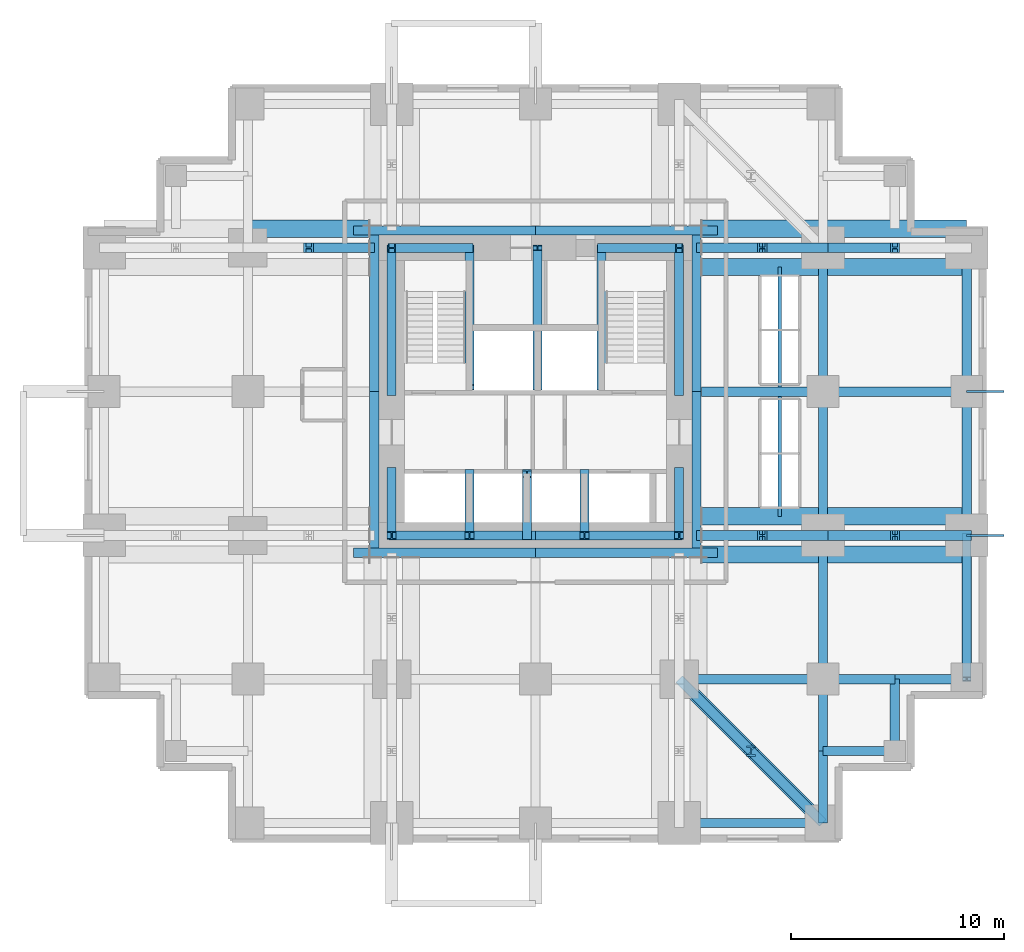
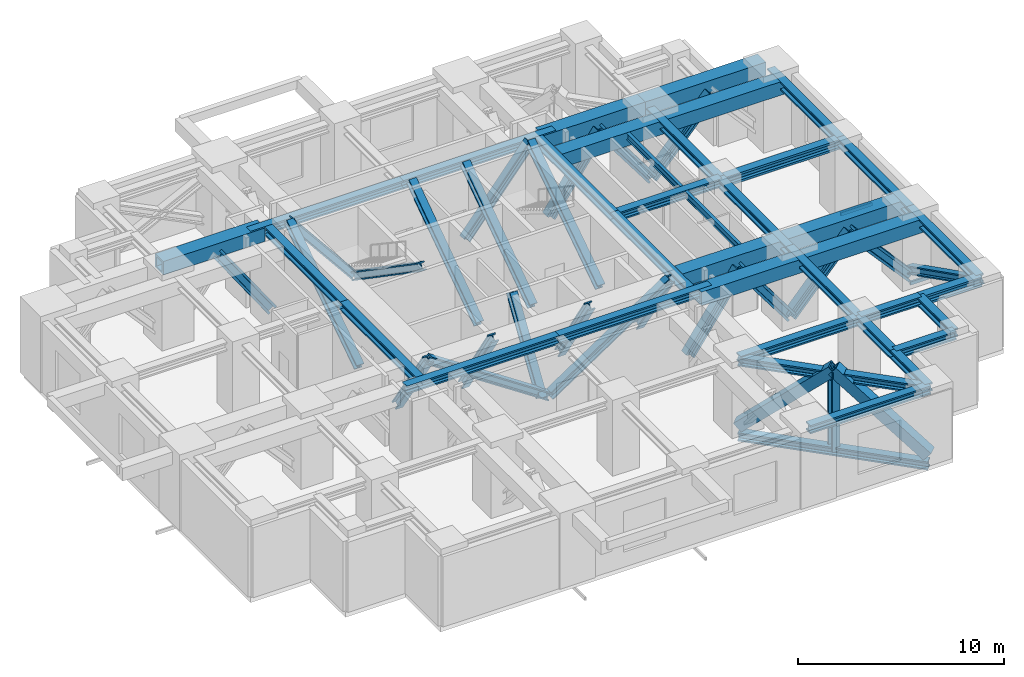
# One storey, part 2 of 6: 35 beams, 31 members.
"""IFC4 building model written with IfcOpenShell, lengths in metres."""

from ifc_helpers import new_model, si_unit, direction, frame, origin, origin_2d, place, context, subcontext, project, spatial, hollow_rectangle, i_section, extrude, material, material_profile, profile_set, type_object, element, save


model = new_model("IFC4")

# Units and contexts
model_context = context("Model", 3, precision=1e-05, world=origin(), true_north=direction((0.0, 1.0)))
body_context = subcontext(model_context, "Body", "Model", "MODEL_VIEW")
ifc_project = project(units=[si_unit("LENGTHUNIT", "METRE"), si_unit("AREAUNIT", "SQUARE_METRE"), si_unit("VOLUMEUNIT", "CUBIC_METRE"), si_unit("PLANEANGLEUNIT", "RADIAN"), si_unit("MASSUNIT", "GRAM", prefix="KILO")], contexts=[model_context])

# Site, building, storey
site_placement = place(None, origin())
site = spatial("IfcSite", under=ifc_project, at=site_placement, CompositionType="ELEMENT")
building_placement = place(site_placement, origin())
building = spatial("IfcBuilding", under=site, at=building_placement, Name="Nyansa Garden Tower", CompositionType="ELEMENT")
storey_placement = place(building_placement, frame((0.0, 0.0, 137.699951171875)))
storey = spatial("IfcBuildingStorey", under=building, at=storey_placement, Name="L37", CompositionType="ELEMENT", Elevation=137.699951171875)

# Beams
ifc_material_1 = material(Name="Steel S355", Category="steel")
ifc_material_profile_1 = material_profile(ifc_material_1, i_section(OverallWidth=0.179931640625, OverallDepth=0.39990234375, WebThickness=0.008544921875, FlangeThickness=0.013427734375, FilletRadius=0.02099609375, at=origin_2d()), Name="IPE 400")
ifc_profile_set_1 = profile_set([ifc_material_profile_1], Name="Steel S355")
beam_type_1 = type_object("IfcBeamType", Name="Lift hoist beam IPE 400", PredefinedType="BEAM", material=ifc_profile_set_1)
for number, where, z_axis, x_axis, name in (
    (1, (31.72509765625, 14.39990234375, 3.949951171875), (0.0, 1.0, 0.0), (-1.0, 0.0, 0.0), "Lift hoist beam A1-A2"),
    (2, (31.72509765625, 20.466064453125, 3.949951171875), (0.0, 1.0, 0.0), (-1.0, 0.0, 0.0), "Lift hoist beam A3-A4"),
):
    element("IfcBeam", number, at=place(storey_placement, frame(where, z_axis=z_axis, x_axis=x_axis)), inside=storey, type_object=beam_type_1, Name=name, PredefinedType="BEAM", context=body_context, shape_type="SweptSolid", body=[
        extrude(i_section(OverallWidth=0.179931640625, OverallDepth=0.39990234375, WebThickness=0.008544921875, FlangeThickness=0.013427734375, FilletRadius=0.02099609375, at=origin_2d()), origin(), (0.0, 0.0, 1.0), 5.634033203125),
    ])

# Members
ifc_material_2 = material(Name="Steel S355, black powder coated", Category="steel")
ifc_material_profile_2 = material_profile(ifc_material_2, hollow_rectangle(XDim=0.10009765625, YDim=0.199951171875, WallThickness=0.008056640625, at=origin_2d()), Name="RHS 200x100x8")
ifc_profile_set_2 = profile_set([ifc_material_profile_2], Name="Steel S355, black powder coated")
member_type_1 = type_object("IfcMemberType", Name="Outer skin bracket arm RHS 200x100x8", PredefinedType="USERDEFINED", material=ifc_profile_set_2)
for number, where, z_axis, x_axis, name in (
    (3, (40.5, 13.5, -0.449951171875), (1.0, 0.0, 0.0), (0.0, 1.0, 0.0), "Outer skin bracket arm"),
    (4, (40.5, 20.25, -0.449951171875), (1.0, 0.0, 0.0), (0.0, 1.0, 0.0), "Outer skin bracket arm"),
):
    element("IfcMember", number, at=place(storey_placement, frame(where, z_axis=z_axis, x_axis=x_axis)), inside=storey, type_object=member_type_1, Name=name, ObjectType="OUTER SKIN BRACKET", PredefinedType="USERDEFINED", context=body_context, shape_type="SweptSolid", body=[
        extrude(hollow_rectangle(XDim=0.10009765625, YDim=0.199951171875, WallThickness=0.008056640625, at=origin_2d()), origin(), (0.0, 0.0, 1.0), 1.75),
    ])

# Beams
ifc_material_3 = material(Name="Steel S355", Category="steel")
ifc_material_profile_3 = material_profile(ifc_material_3, hollow_rectangle(XDim=0.800048828125, YDim=0.800048828125, WallThickness=0.125, at=origin_2d()), Name="Welded box 800x800x125")
ifc_profile_set_3 = profile_set([ifc_material_profile_3], Name="Steel S355")
beam_type_2 = type_object("IfcBeamType", Name="Outrigger chord OC3 welded box 800x800x125 S355", PredefinedType="BEAM", material=ifc_profile_set_3)
for number, where, z_axis, x_axis, name in (
    (5, (6.75, 27.89990234375, 3.75), (1.0, 0.0, 0.0), (0.0, 1.0, 0.0), "Beam 3/H-12.450/H L38 a"),
    (6, (28.050048828125, 14.39990234375, 3.75), (1.0, 0.0, 0.0), (0.0, 1.0, 0.0), "Beam 28.050/F-7/F L38 a"),
    (7, (28.050048828125, 12.60009765625, 3.75), (1.0, 0.0, 0.0), (0.0, 1.0, 0.0), "Beam 28.050/F-7/F L38 b"),
    (8, (28.050048828125, 27.89990234375, 3.75), (1.0, 0.0, 0.0), (0.0, 1.0, 0.0), "Beam 28.050/H-7/H L38 a"),
    (9, (28.050048828125, 26.10009765625, 3.75), (1.0, 0.0, 0.0), (0.0, 1.0, 0.0), "Beam 28.050/H-7/H L38 b"),
):
    element("IfcBeam", number, at=place(storey_placement, frame(where, z_axis=z_axis, x_axis=x_axis)), inside=storey, type_object=beam_type_2, Name=name, PredefinedType="BEAM", context=body_context, shape_type="SweptSolid", body=[
        extrude(hollow_rectangle(XDim=0.800048828125, YDim=0.800048828125, WallThickness=0.125, at=origin_2d()), origin(), (0.0, 0.0, 1.0), 5.699951171875),
    ])
for number, where, z_axis, x_axis, name in (
    (10, (33.75, 14.39990234375, 3.75), (1.0, 0.0, 0.0), (0.0, 1.0, 0.0), "Beam 7/F-8/F L38 a"),
    (11, (33.75, 12.60009765625, 3.75), (1.0, 0.0, 0.0), (0.0, 1.0, 0.0), "Beam 7/F-8/F L38 b"),
    (12, (33.75, 27.89990234375, 3.75), (1.0, 0.0, 0.0), (0.0, 1.0, 0.0), "Beam 7/H-8/H L38 a"),
    (13, (33.75, 26.10009765625, 3.75), (1.0, 0.0, 0.0), (0.0, 1.0, 0.0), "Beam 7/H-8/H L38 b"),
):
    element("IfcBeam", number, at=place(storey_placement, frame(where, z_axis=z_axis, x_axis=x_axis)), inside=storey, type_object=beam_type_2, Name=name, PredefinedType="BEAM", context=body_context, shape_type="SweptSolid", body=[
        extrude(hollow_rectangle(XDim=0.800048828125, YDim=0.800048828125, WallThickness=0.125, at=origin_2d()), origin(), (0.0, 0.0, 1.0), 6.75),
    ])

# Members
ifc_material_4 = material(Name="Steel S355", Category="steel")
ifc_material_profile_4 = material_profile(ifc_material_4, i_section(OverallWidth=0.4541015625, OverallDepth=0.569091796875, WebThickness=0.077880859375, FlangeThickness=0.125, FilletRadius=0.014892578125, at=origin_2d()), Name="HD 400x1086")
ifc_profile_set_4 = profile_set([ifc_material_profile_4], Name="Steel S355")
member_type_2 = type_object("IfcMemberType", Name="Outrigger truss diagonal HD 400x1086", PredefinedType="BRACE", material=ifc_profile_set_4)
for number, where, z_axis, x_axis, name in (
    (14, (12.449951171875, 27.0, -0.300048828125), (-0.570742116103, 0.0, 0.82112936673), (0.0, -1.0, 0.0), "Outrigger truss diagonal L37 6.2b"),
    (15, (28.050048828125, 13.5, -0.300048828125), (0.570742116103, 0.0, 0.82112936673), (0.0, 1.0, 0.0), "Outrigger truss diagonal L37 7.1a"),
):
    element("IfcMember", number, at=place(storey_placement, frame(where, z_axis=z_axis, x_axis=x_axis)), inside=storey, type_object=member_type_2, Name=name, PredefinedType="BRACE", context=body_context, shape_type="SweptSolid", body=[
        extrude(i_section(OverallWidth=0.4541015625, OverallDepth=0.569091796875, WebThickness=0.077880859375, FlangeThickness=0.125, FilletRadius=0.014892578125, at=origin_2d()), origin(), (0.0, 0.0, 1.0), 4.9931640625),
    ])
member_1_placement = place(storey_placement, frame((33.75, 13.5, 0.0), z_axis=(-0.600008223483, 0.0, 0.799993832321), x_axis=(0.0, -1.0, 0.0)))
element("IfcMember", 16, at=member_1_placement, inside=storey, type_object=member_type_2, Name="Outrigger truss diagonal L37 7.1b", PredefinedType="BRACE", context=body_context, shape_type="SweptSolid", body=[
    extrude(i_section(OverallWidth=0.4541015625, OverallDepth=0.569091796875, WebThickness=0.077880859375, FlangeThickness=0.125, FilletRadius=0.014892578125, at=origin_2d()), origin(), (0.0, 0.0, 1.0), 4.75),
])
for number, where, z_axis, x_axis, name in (
    (17, (33.75, 13.5, 0.0), (0.664053699108, 0.0, 0.747684883291), (0.0, 1.0, 0.0), "Outrigger truss diagonal L37 7.2a"),
    (18, (40.5, 13.5, 0.0), (-0.664053699108, 0.0, 0.747684883291), (0.0, -1.0, 0.0), "Outrigger truss diagonal L37 7.2b"),
):
    element("IfcMember", number, at=place(storey_placement, frame(where, z_axis=z_axis, x_axis=x_axis)), inside=storey, type_object=member_type_2, Name=name, PredefinedType="BRACE", context=body_context, shape_type="SweptSolid", body=[
        extrude(i_section(OverallWidth=0.4541015625, OverallDepth=0.569091796875, WebThickness=0.077880859375, FlangeThickness=0.125, FilletRadius=0.014892578125, at=origin_2d()), origin(), (0.0, 0.0, 1.0), 5.08251953125),
    ])
member_2_placement = place(storey_placement, frame((28.050048828125, 27.0, -0.300048828125), z_axis=(0.570742116103, 0.0, 0.82112936673), x_axis=(0.0, 1.0, 0.0)))
element("IfcMember", 19, at=member_2_placement, inside=storey, type_object=member_type_2, Name="Outrigger truss diagonal L37 8.1a", PredefinedType="BRACE", context=body_context, shape_type="SweptSolid", body=[
    extrude(i_section(OverallWidth=0.4541015625, OverallDepth=0.569091796875, WebThickness=0.077880859375, FlangeThickness=0.125, FilletRadius=0.014892578125, at=origin_2d()), origin(), (0.0, 0.0, 1.0), 4.9931640625),
])
member_3_placement = place(storey_placement, frame((33.75, 27.0, 0.0), z_axis=(-0.600008223483, 0.0, 0.799993832321), x_axis=(0.0, -1.0, 0.0)))
element("IfcMember", 20, at=member_3_placement, inside=storey, type_object=member_type_2, Name="Outrigger truss diagonal L37 8.1b", PredefinedType="BRACE", context=body_context, shape_type="SweptSolid", body=[
    extrude(i_section(OverallWidth=0.4541015625, OverallDepth=0.569091796875, WebThickness=0.077880859375, FlangeThickness=0.125, FilletRadius=0.014892578125, at=origin_2d()), origin(), (0.0, 0.0, 1.0), 4.75),
])
member_4_placement = place(storey_placement, frame((33.75, 27.0, 0.0), z_axis=(0.664053699108, 0.0, 0.747684883291), x_axis=(0.0, 1.0, 0.0)))
element("IfcMember", 21, at=member_4_placement, inside=storey, type_object=member_type_2, Name="Outrigger truss diagonal L37 8.2a", PredefinedType="BRACE", context=body_context, shape_type="SweptSolid", body=[
    extrude(i_section(OverallWidth=0.4541015625, OverallDepth=0.569091796875, WebThickness=0.077880859375, FlangeThickness=0.125, FilletRadius=0.014892578125, at=origin_2d()), origin(), (0.0, 0.0, 1.0), 5.08251953125),
])
ifc_material_5 = material(Name="Steel S355", Category="steel")
ifc_material_profile_5 = material_profile(ifc_material_5, i_section(OverallWidth=0.41796875, OverallDepth=0.455078125, WebThickness=0.0419921875, FlangeThickness=0.067626953125, FilletRadius=0.014892578125, at=origin_2d()), Name="HD 400x463")
ifc_profile_set_5 = profile_set([ifc_material_profile_5], Name="Steel S355")
member_type_3 = type_object("IfcMemberType", Name="Perimeter brace HD 400x463", PredefinedType="BRACE", material=ifc_profile_set_5)
for number, where, z_axis, x_axis, name in (
    (22, (20.25, 13.5, 0.0), (-0.832050294338, 0.0, 0.554700196225), (0.0, -1.0, 0.0), "Core brace CS1 L37"),
    (23, (20.25, 13.5, 0.0), (0.832050294338, 0.0, 0.554700196225), (0.0, 1.0, 0.0), "Core brace CS2 L37"),
):
    element("IfcMember", number, at=place(storey_placement, frame(where, z_axis=z_axis, x_axis=x_axis)), inside=storey, type_object=member_type_3, Name=name, PredefinedType="BRACE", context=body_context, shape_type="SweptSolid", body=[
        extrude(i_section(OverallWidth=0.41796875, OverallDepth=0.455078125, WebThickness=0.0419921875, FlangeThickness=0.067626953125, FilletRadius=0.014892578125, at=origin_2d()), origin(), (0.0, 0.0, 1.0), 8.112548828125),
    ])
for number, where, z_axis, x_axis, name in (
    (24, (17.14990234375, 27.0, 0.0), (-0.629932498557, 0.0, 0.776649887184), (0.0, -1.0, 0.0), "Core brace CN3 L37"),
    (25, (23.35009765625, 27.0, 0.0), (0.629932498557, 0.0, 0.776649887184), (0.0, 1.0, 0.0), "Core brace CN4 L37"),
):
    element("IfcMember", number, at=place(storey_placement, frame(where, z_axis=z_axis, x_axis=x_axis)), inside=storey, type_object=member_type_3, Name=name, PredefinedType="BRACE", context=body_context, shape_type="SweptSolid", body=[
        extrude(i_section(OverallWidth=0.41796875, OverallDepth=0.455078125, WebThickness=0.0419921875, FlangeThickness=0.067626953125, FilletRadius=0.014892578125, at=origin_2d()), origin(), (0.0, 0.0, 1.0), 5.794189453125),
    ])
member_5_placement = place(storey_placement, frame((13.5, 16.5, 0.0), z_axis=(0.0, -0.554700196225, 0.832050294338), x_axis=(1.0, 0.0, 0.0)))
element("IfcMember", 26, at=member_5_placement, inside=storey, type_object=member_type_3, Name="Core brace CW5 L37", PredefinedType="BRACE", context=body_context, shape_type="SweptSolid", body=[
    extrude(i_section(OverallWidth=0.41796875, OverallDepth=0.455078125, WebThickness=0.0419921875, FlangeThickness=0.067626953125, FilletRadius=0.014892578125, at=origin_2d()), origin(), (0.0, 0.0, 1.0), 5.408447265625),
])
member_6_placement = place(storey_placement, frame((13.5, 20.199951171875, 0.0), z_axis=(0.0, 0.833934029443, 0.551864145), x_axis=(-1.0, 0.0, 0.0)))
element("IfcMember", 27, at=member_6_placement, inside=storey, type_object=member_type_3, Name="Core brace CW6 L37", PredefinedType="BRACE", context=body_context, shape_type="SweptSolid", body=[
    extrude(i_section(OverallWidth=0.41796875, OverallDepth=0.455078125, WebThickness=0.0419921875, FlangeThickness=0.067626953125, FilletRadius=0.014892578125, at=origin_2d()), origin(), (0.0, 0.0, 1.0), 8.154296875),
])
member_7_placement = place(storey_placement, frame((27.0, 16.5, 0.0), z_axis=(0.0, -0.554700196225, 0.832050294338), x_axis=(1.0, 0.0, 0.0)))
element("IfcMember", 28, at=member_7_placement, inside=storey, type_object=member_type_3, Name="Core brace CE7 L37", PredefinedType="BRACE", context=body_context, shape_type="SweptSolid", body=[
    extrude(i_section(OverallWidth=0.41796875, OverallDepth=0.455078125, WebThickness=0.0419921875, FlangeThickness=0.067626953125, FilletRadius=0.014892578125, at=origin_2d()), origin(), (0.0, 0.0, 1.0), 5.408447265625),
])
member_8_placement = place(storey_placement, frame((27.0, 20.199951171875, 0.0), z_axis=(0.0, 0.833934029443, 0.551864145), x_axis=(-1.0, 0.0, 0.0)))
element("IfcMember", 29, at=member_8_placement, inside=storey, type_object=member_type_3, Name="Core brace CE8 L37", PredefinedType="BRACE", context=body_context, shape_type="SweptSolid", body=[
    extrude(i_section(OverallWidth=0.41796875, OverallDepth=0.455078125, WebThickness=0.0419921875, FlangeThickness=0.067626953125, FilletRadius=0.014892578125, at=origin_2d()), origin(), (0.0, 0.0, 1.0), 8.154296875),
])
for number, where, z_axis, x_axis, name in (
    (30, (17.14990234375, 27.0, 0.0), (0.0, -0.824227431411, 0.566258899541), (1.0, 0.0, 0.0), "Core brace CWS9 L37"),
    (31, (23.35009765625, 20.449951171875, 0.0), (0.0, 0.824227431411, 0.566258899541), (-1.0, 0.0, 0.0), "Core brace CES10 L37"),
):
    element("IfcMember", number, at=place(storey_placement, frame(where, z_axis=z_axis, x_axis=x_axis)), inside=storey, type_object=member_type_3, Name=name, PredefinedType="BRACE", context=body_context, shape_type="SweptSolid", body=[
        extrude(i_section(OverallWidth=0.41796875, OverallDepth=0.455078125, WebThickness=0.0419921875, FlangeThickness=0.067626953125, FilletRadius=0.014892578125, at=origin_2d()), origin(), (0.0, 0.0, 1.0), 7.94677734375),
    ])
for number, where, z_axis, x_axis, name in (
    (32, (17.14990234375, 16.39990234375, 0.0), (0.0, -0.541688444786, 0.84057934116), (1.0, 0.0, 0.0), "Core brace CSW11 L37"),
    (33, (19.85009765625, 13.5, 0.0), (0.0, 0.541688444786, 0.84057934116), (-1.0, 0.0, 0.0), "Core brace CSW12 L37"),
    (34, (22.550048828125, 16.39990234375, 0.0), (0.0, -0.541688444786, 0.84057934116), (1.0, 0.0, 0.0), "Core brace CSW13 L37"),
):
    element("IfcMember", number, at=place(storey_placement, frame(where, z_axis=z_axis, x_axis=x_axis)), inside=storey, type_object=member_type_3, Name=name, PredefinedType="BRACE", context=body_context, shape_type="SweptSolid", body=[
        extrude(i_section(OverallWidth=0.41796875, OverallDepth=0.455078125, WebThickness=0.0419921875, FlangeThickness=0.067626953125, FilletRadius=0.014892578125, at=origin_2d()), origin(), (0.0, 0.0, 1.0), 5.353515625),
    ])
member_9_placement = place(storey_placement, frame((20.35009765625, 20.449951171875, 0.0), z_axis=(0.0, 0.824227431411, 0.566258899541), x_axis=(-1.0, 0.0, 0.0)))
element("IfcMember", 35, at=member_9_placement, inside=storey, type_object=member_type_3, Name="Core brace CNW14 L37", PredefinedType="BRACE", context=body_context, shape_type="SweptSolid", body=[
    extrude(i_section(OverallWidth=0.41796875, OverallDepth=0.455078125, WebThickness=0.0419921875, FlangeThickness=0.067626953125, FilletRadius=0.014892578125, at=origin_2d()), origin(), (0.0, 0.0, 1.0), 7.94677734375),
])
member_10_placement = place(storey_placement, frame((40.5, 13.5, 0.400146484375), z_axis=(0.0, -0.893105356343, 0.449847554703), x_axis=(1.0, 0.0, 0.0)))
element("IfcMember", 36, at=member_10_placement, inside=storey, type_object=member_type_3, Name="Perimeter brace E1 L37", PredefinedType="BRACE", context=body_context, shape_type="SweptSolid", body=[
    extrude(i_section(OverallWidth=0.41796875, OverallDepth=0.455078125, WebThickness=0.0419921875, FlangeThickness=0.067626953125, FilletRadius=0.014892578125, at=origin_2d()), origin(), (0.0, 0.0, 1.0), 7.557861328125),
])

# Beams
ifc_material_6 = material(Name="Steel S355", Category="steel")
ifc_material_profile_6 = material_profile(ifc_material_6, i_section(OverallWidth=0.4541015625, OverallDepth=0.569091796875, WebThickness=0.077880859375, FlangeThickness=0.125, FilletRadius=0.014892578125, at=origin_2d()), Name="HD 400x1086")
ifc_profile_set_6 = profile_set([ifc_material_profile_6], Name="Steel S355")
beam_type_3 = type_object("IfcBeamType", Name="Steel beam SBB2-1086 HD 400x1086", PredefinedType="BEAM", material=ifc_profile_set_6)
beam_1_placement = place(storey_placement, frame((33.75, 20.25, 3.865478515625), z_axis=(1.0, 0.0, 0.0), x_axis=(0.0, 1.0, 0.0)))
element("IfcBeam", 37, at=beam_1_placement, inside=storey, type_object=beam_type_3, Name="Steel beam 7/G-8/G L38", PredefinedType="BEAM", context=body_context, shape_type="SweptSolid", body=[
    extrude(i_section(OverallWidth=0.4541015625, OverallDepth=0.569091796875, WebThickness=0.077880859375, FlangeThickness=0.125, FilletRadius=0.014892578125, at=origin_2d()), origin(), (0.0, 0.0, 1.0), 6.75),
])
ifc_material_7 = material(Name="Steel S355", Category="steel")
ifc_material_profile_7 = material_profile(ifc_material_7, i_section(OverallWidth=0.431884765625, OverallDepth=0.498046875, WebThickness=0.0556640625, FlangeThickness=0.0888671875, FilletRadius=0.014892578125, at=origin_2d()), Name="HD 400x744")
ifc_profile_set_7 = profile_set([ifc_material_profile_7], Name="Steel S355")
beam_type_4 = type_object("IfcBeamType", Name="Steel beam SBB2-744 HD 400x744", PredefinedType="BEAM", material=ifc_profile_set_7)
beam_2_placement = place(storey_placement, frame((27.0, 6.75, 3.901123046875), z_axis=(1.0, 0.0, 0.0), x_axis=(0.0, 1.0, 0.0)))
element("IfcBeam", 38, at=beam_2_placement, inside=storey, type_object=beam_type_4, Name="Steel beam 6/E-7/E L38", PredefinedType="BEAM", context=body_context, shape_type="SweptSolid", body=[
    extrude(i_section(OverallWidth=0.431884765625, OverallDepth=0.498046875, WebThickness=0.0556640625, FlangeThickness=0.0888671875, FilletRadius=0.014892578125, at=origin_2d()), origin(), (0.0, 0.0, 1.0), 6.75),
])
beam_3_placement = place(storey_placement, frame((28.050048828125, 20.25, 3.901123046875), z_axis=(1.0, 0.0, 0.0), x_axis=(0.0, 1.0, 0.0)))
element("IfcBeam", 39, at=beam_3_placement, inside=storey, type_object=beam_type_4, Name="Steel beam 28.050/G-7/G L38", PredefinedType="BEAM", context=body_context, shape_type="SweptSolid", body=[
    extrude(i_section(OverallWidth=0.431884765625, OverallDepth=0.498046875, WebThickness=0.0556640625, FlangeThickness=0.0888671875, FilletRadius=0.014892578125, at=origin_2d()), origin(), (0.0, 0.0, 1.0), 5.699951171875),
])
beam_4_placement = place(storey_placement, frame((33.75, 3.375, 3.901123046875), z_axis=(0.0, 1.0, 0.0), x_axis=(-1.0, 0.0, 0.0)))
element("IfcBeam", 40, at=beam_4_placement, inside=storey, type_object=beam_type_4, Name="Steel beam 7/3.375-7/E L38", PredefinedType="BEAM", context=body_context, shape_type="SweptSolid", body=[
    extrude(i_section(OverallWidth=0.431884765625, OverallDepth=0.498046875, WebThickness=0.0556640625, FlangeThickness=0.0888671875, FilletRadius=0.014892578125, at=origin_2d()), origin(), (0.0, 0.0, 1.0), 3.375),
])
beam_5_placement = place(storey_placement, frame((33.75, 6.75, 3.901123046875), z_axis=(0.0, 1.0, 0.0), x_axis=(-1.0, 0.0, 0.0)))
element("IfcBeam", 41, at=beam_5_placement, inside=storey, type_object=beam_type_4, Name="Steel beam 7/E-7/F L38", PredefinedType="BEAM", context=body_context, shape_type="SweptSolid", body=[
    extrude(i_section(OverallWidth=0.431884765625, OverallDepth=0.498046875, WebThickness=0.0556640625, FlangeThickness=0.0888671875, FilletRadius=0.014892578125, at=origin_2d()), origin(), (0.0, 0.0, 1.0), 6.75),
])
beam_6_placement = place(storey_placement, frame((33.75, 6.75, 3.901123046875), z_axis=(1.0, 0.0, 0.0), x_axis=(0.0, 1.0, 0.0)))
element("IfcBeam", 42, at=beam_6_placement, inside=storey, type_object=beam_type_4, Name="Steel beam 7/E-37.125/E L38", PredefinedType="BEAM", context=body_context, shape_type="SweptSolid", body=[
    extrude(i_section(OverallWidth=0.431884765625, OverallDepth=0.498046875, WebThickness=0.0556640625, FlangeThickness=0.0888671875, FilletRadius=0.014892578125, at=origin_2d()), origin(), (0.0, 0.0, 1.0), 3.375),
])
for number, where, z_axis, x_axis, name in (
    (43, (33.75, 13.5, 3.901123046875), (0.0, 1.0, 0.0), (-1.0, 0.0, 0.0), "Steel beam 7/F-7/G L38"),
    (44, (33.75, 20.25, 3.901123046875), (0.0, 1.0, 0.0), (-1.0, 0.0, 0.0), "Steel beam 7/G-7/H L38"),
):
    element("IfcBeam", number, at=place(storey_placement, frame(where, z_axis=z_axis, x_axis=x_axis)), inside=storey, type_object=beam_type_4, Name=name, PredefinedType="BEAM", context=body_context, shape_type="SweptSolid", body=[
        extrude(i_section(OverallWidth=0.431884765625, OverallDepth=0.498046875, WebThickness=0.0556640625, FlangeThickness=0.0888671875, FilletRadius=0.014892578125, at=origin_2d()), origin(), (0.0, 0.0, 1.0), 6.75),
    ])
ifc_material_8 = material(Name="Steel S355", Category="steel")
ifc_material_profile_8 = material_profile(ifc_material_8, i_section(OverallWidth=0.431884765625, OverallDepth=0.498046875, WebThickness=0.0556640625, FlangeThickness=0.0888671875, FilletRadius=0.014892578125, at=origin_2d()), Name="HD 400x744")
ifc_profile_set_8 = profile_set([ifc_material_profile_8], Name="Steel S355")
beam_type_5 = type_object("IfcBeamType", Name="Steel beam SEBB-744 HD 400x744", PredefinedType="BEAM", material=ifc_profile_set_8)
for number, where, z_axis, x_axis, name in (
    (45, (27.0, 0.0, 3.901123046875), (1.0, 0.0, 0.0), (0.0, 1.0, 0.0), "Steel edge beam 6/D-7/D L38"),
    (46, (40.5, 6.75, 3.901123046875), (0.0, 1.0, 0.0), (-1.0, 0.0, 0.0), "Steel edge beam 8/E-8/F L38"),
    (47, (40.5, 13.5, 3.901123046875), (0.0, 1.0, 0.0), (-1.0, 0.0, 0.0), "Steel edge beam 8/F-8/G L38"),
    (48, (40.5, 20.25, 3.901123046875), (0.0, 1.0, 0.0), (-1.0, 0.0, 0.0), "Steel edge beam 8/G-8/H L38"),
):
    element("IfcBeam", number, at=place(storey_placement, frame(where, z_axis=z_axis, x_axis=x_axis)), inside=storey, type_object=beam_type_5, Name=name, PredefinedType="BEAM", context=body_context, shape_type="SweptSolid", body=[
        extrude(i_section(OverallWidth=0.431884765625, OverallDepth=0.498046875, WebThickness=0.0556640625, FlangeThickness=0.0888671875, FilletRadius=0.014892578125, at=origin_2d()), origin(), (0.0, 0.0, 1.0), 6.75),
    ])
ifc_material_9 = material(Name="Steel S355", Category="steel")
ifc_material_profile_9 = material_profile(ifc_material_9, i_section(OverallWidth=0.4541015625, OverallDepth=0.569091796875, WebThickness=0.077880859375, FlangeThickness=0.125, FilletRadius=0.014892578125, at=origin_2d()), Name="HD 400x1086")
ifc_profile_set_9 = profile_set([ifc_material_profile_9], Name="Steel S355")
beam_type_6 = type_object("IfcBeamType", Name="Steel beam SEBB2-1086 HD 400x1086", PredefinedType="BEAM", material=ifc_profile_set_9)
beam_7_placement = place(storey_placement, frame((37.125, 6.75, 3.865478515625), z_axis=(1.0, 0.0, 0.0), x_axis=(0.0, 1.0, 0.0)))
element("IfcBeam", 49, at=beam_7_placement, inside=storey, type_object=beam_type_6, Name="Steel edge beam 37.125/E-8/E L38", PredefinedType="BEAM", context=body_context, shape_type="SweptSolid", body=[
    extrude(i_section(OverallWidth=0.4541015625, OverallDepth=0.569091796875, WebThickness=0.077880859375, FlangeThickness=0.125, FilletRadius=0.014892578125, at=origin_2d()), origin(), (0.0, 0.0, 1.0), 3.375),
])
ifc_material_10 = material(Name="Steel S355", Category="steel")
ifc_material_profile_10 = material_profile(ifc_material_10, i_section(OverallWidth=0.431884765625, OverallDepth=0.498046875, WebThickness=0.0556640625, FlangeThickness=0.0888671875, FilletRadius=0.014892578125, at=origin_2d()), Name="HD 400x744")
ifc_profile_set_10 = profile_set([ifc_material_profile_10], Name="Steel S355")
beam_type_7 = type_object("IfcBeamType", Name="Steel beam SEBB2-744 HD 400x744", PredefinedType="BEAM", material=ifc_profile_set_10)
beam_8_placement = place(storey_placement, frame((33.75, 0.0, 3.901123046875), z_axis=(0.0, 1.0, 0.0), x_axis=(-1.0, 0.0, 0.0)))
element("IfcBeam", 50, at=beam_8_placement, inside=storey, type_object=beam_type_7, Name="Steel edge beam 7/D-7/3.375 L38", PredefinedType="BEAM", context=body_context, shape_type="SweptSolid", body=[
    extrude(i_section(OverallWidth=0.431884765625, OverallDepth=0.498046875, WebThickness=0.0556640625, FlangeThickness=0.0888671875, FilletRadius=0.014892578125, at=origin_2d()), origin(), (0.0, 0.0, 1.0), 3.375),
])
ifc_material_11 = material(Name="Steel S355", Category="steel")
ifc_material_profile_11 = material_profile(ifc_material_11, i_section(OverallWidth=0.431884765625, OverallDepth=0.498046875, WebThickness=0.0556640625, FlangeThickness=0.0888671875, FilletRadius=0.014892578125, at=origin_2d()), Name="HD 400x744")
ifc_profile_set_11 = profile_set([ifc_material_profile_11], Name="Steel S355")
beam_type_8 = type_object("IfcBeamType", Name="Steel beam SLB2-744 HD 400x744", PredefinedType="BEAM", material=ifc_profile_set_11)
for number, where, z_axis, x_axis, name in (
    (51, (11.699951171875, 12.68408203125, 3.901123046875), (1.0, 0.0, 0.0), (0.0, 1.0, 0.0), "Steel core ledger beam S.1 L38"),
    (52, (20.25, 12.68408203125, 3.901123046875), (1.0, 0.0, 0.0), (0.0, 1.0, 0.0), "Steel core ledger beam S.2 L38"),
):
    element("IfcBeam", number, at=place(storey_placement, frame(where, z_axis=z_axis, x_axis=x_axis)), inside=storey, type_object=beam_type_8, Name=name, PredefinedType="BEAM", context=body_context, shape_type="SweptSolid", body=[
        extrude(i_section(OverallWidth=0.431884765625, OverallDepth=0.498046875, WebThickness=0.0556640625, FlangeThickness=0.0888671875, FilletRadius=0.014892578125, at=origin_2d()), origin(), (0.0, 0.0, 1.0), 8.550048828125),
    ])
for number, where, z_axis, x_axis, name in (
    (53, (27.81591796875, 12.89990234375, 3.901123046875), (0.0, 1.0, 0.0), (-1.0, 0.0, 0.0), "Steel core ledger beam E.1 L38"),
    (54, (27.81591796875, 20.25, 3.901123046875), (0.0, 1.0, 0.0), (-1.0, 0.0, 0.0), "Steel core ledger beam E.2 L38"),
):
    element("IfcBeam", number, at=place(storey_placement, frame(where, z_axis=z_axis, x_axis=x_axis)), inside=storey, type_object=beam_type_8, Name=name, PredefinedType="BEAM", context=body_context, shape_type="SweptSolid", body=[
        extrude(i_section(OverallWidth=0.431884765625, OverallDepth=0.498046875, WebThickness=0.0556640625, FlangeThickness=0.0888671875, FilletRadius=0.014892578125, at=origin_2d()), origin(), (0.0, 0.0, 1.0), 7.35009765625),
    ])
for number, where, z_axis, x_axis, name in (
    (55, (28.800048828125, 27.81591796875, 3.901123046875), (-1.0, 0.0, 0.0), (0.0, -1.0, 0.0), "Steel core ledger beam N.1 L38"),
    (56, (20.25, 27.81591796875, 3.901123046875), (-1.0, 0.0, 0.0), (0.0, -1.0, 0.0), "Steel core ledger beam N.2 L38"),
):
    element("IfcBeam", number, at=place(storey_placement, frame(where, z_axis=z_axis, x_axis=x_axis)), inside=storey, type_object=beam_type_8, Name=name, PredefinedType="BEAM", context=body_context, shape_type="SweptSolid", body=[
        extrude(i_section(OverallWidth=0.431884765625, OverallDepth=0.498046875, WebThickness=0.0556640625, FlangeThickness=0.0888671875, FilletRadius=0.014892578125, at=origin_2d()), origin(), (0.0, 0.0, 1.0), 8.550048828125),
    ])
for number, where, z_axis, x_axis, name in (
    (57, (12.68408203125, 27.60009765625, 3.901123046875), (0.0, -1.0, 0.0), (1.0, 0.0, 0.0), "Steel core ledger beam W.1 L38"),
    (58, (12.68408203125, 20.25, 3.901123046875), (0.0, -1.0, 0.0), (1.0, 0.0, 0.0), "Steel core ledger beam W.2 L38"),
):
    element("IfcBeam", number, at=place(storey_placement, frame(where, z_axis=z_axis, x_axis=x_axis)), inside=storey, type_object=beam_type_8, Name=name, PredefinedType="BEAM", context=body_context, shape_type="SweptSolid", body=[
        extrude(i_section(OverallWidth=0.431884765625, OverallDepth=0.498046875, WebThickness=0.0556640625, FlangeThickness=0.0888671875, FilletRadius=0.014892578125, at=origin_2d()), origin(), (0.0, 0.0, 1.0), 7.35009765625),
    ])
ifc_material_12 = material(Name="Steel S355", Category="steel")
ifc_material_profile_12 = material_profile(ifc_material_12, i_section(OverallWidth=0.431884765625, OverallDepth=0.498046875, WebThickness=0.0556640625, FlangeThickness=0.0888671875, FilletRadius=0.014892578125, at=origin_2d()), Name="HD 400x744")
ifc_profile_set_12 = profile_set([ifc_material_profile_12], Name="Steel S355")
beam_type_9 = type_object("IfcBeamType", Name="Steel beam SSB1-744 HD 400x744", PredefinedType="BEAM", material=ifc_profile_set_12)
for number, where, z_axis, x_axis, name in (
    (59, (37.125, 3.375, 3.901123046875), (0.0, 1.0, 0.0), (-1.0, 0.0, 0.0), "Steel step beam 37.125/3.375 L38"),
    (60, (37.125, 3.375, 3.901123046875), (-1.0, 0.0, 0.0), (0.0, -1.0, 0.0), "Steel step beam 37.125/3.375 L38"),
):
    element("IfcBeam", number, at=place(storey_placement, frame(where, z_axis=z_axis, x_axis=x_axis)), inside=storey, type_object=beam_type_9, Name=name, PredefinedType="BEAM", context=body_context, shape_type="SweptSolid", body=[
        extrude(i_section(OverallWidth=0.431884765625, OverallDepth=0.498046875, WebThickness=0.0556640625, FlangeThickness=0.0888671875, FilletRadius=0.014892578125, at=origin_2d()), origin(), (0.0, 0.0, 1.0), 3.375),
    ])

# Members
ifc_material_13 = material(Name="Steel S355", Category="steel")
ifc_material_profile_13 = material_profile(ifc_material_13, hollow_rectangle(XDim=0.60009765625, YDim=0.60009765625, WallThickness=0.070068359375, at=origin_2d()), Name="Welded box 600x600x70")
ifc_profile_set_13 = profile_set([ifc_material_profile_13], Name="Steel S355")
member_type_4 = type_object("IfcMemberType", Name="Transfer truss diagonal TT4 welded box 600x600x70 S355", PredefinedType="BRACE", material=ifc_profile_set_13)
for number, where, z_axis, x_axis, name in (
    (61, (27.0, 6.75, 0.0), (0.530849130986, -0.530849130986, 0.660604571785), (0.707106781187, 0.707106781187, 0.0), "Transfer truss diagonal L38 30.375/3.375 a"),
    (62, (33.75, 0.0, 0.0), (-0.530849130986, 0.530849130986, 0.660604571785), (-0.707106781187, -0.707106781187, 0.0), "Transfer truss diagonal L38 30.375/3.375 b"),
):
    element("IfcMember", number, at=place(storey_placement, frame(where, z_axis=z_axis, x_axis=x_axis)), inside=storey, type_object=member_type_4, Name=name, PredefinedType="BRACE", context=body_context, shape_type="SweptSolid", body=[
        extrude(hollow_rectangle(XDim=0.60009765625, YDim=0.60009765625, WallThickness=0.070068359375, at=origin_2d()), origin(), (0.0, 0.0, 1.0), 6.357666015625),
    ])
ifc_material_14 = material(Name="Steel S355", Category="steel")
ifc_material_profile_14 = material_profile(ifc_material_14, i_section(OverallWidth=0.431884765625, OverallDepth=0.498046875, WebThickness=0.0556640625, FlangeThickness=0.0888671875, FilletRadius=0.014892578125, at=origin_2d()), Name="HD 400x744")
ifc_profile_set_14 = profile_set([ifc_material_profile_14], Name="Steel S355")
member_type_5 = type_object("IfcMemberType", Name="Transfer truss king post HD 400x744", PredefinedType="MEMBER", material=ifc_profile_set_14)
member_11_placement = place(storey_placement, frame((30.375, 3.375, -0.599853515625), z_axis=(0.0, 0.0, 1.0), x_axis=(1.0, 0.0, 0.0)))
element("IfcMember", 63, at=member_11_placement, inside=storey, type_object=member_type_5, Name="Transfer truss king post L38 30.375/3.375", PredefinedType="MEMBER", context=body_context, shape_type="SweptSolid", body=[
    extrude(i_section(OverallWidth=0.431884765625, OverallDepth=0.498046875, WebThickness=0.0556640625, FlangeThickness=0.0888671875, FilletRadius=0.014892578125, at=origin_2d()), origin(), (0.0, 0.0, 1.0), 4.75),
])
ifc_material_15 = material(Name="Steel S355", Category="steel")
ifc_material_profile_15 = material_profile(ifc_material_15, i_section(OverallWidth=0.431884765625, OverallDepth=0.498046875, WebThickness=0.0556640625, FlangeThickness=0.0888671875, FilletRadius=0.014892578125, at=origin_2d()), Name="HD 400x744")
ifc_profile_set_15 = profile_set([ifc_material_profile_15], Name="Steel S355")
member_type_6 = type_object("IfcMemberType", Name="Transfer truss tie HD 400x744", PredefinedType="MEMBER", material=ifc_profile_set_15)
for number, where, z_axis, x_axis, name in (
    (64, (27.0, 6.75, 3.85009765625), (0.707106781187, -0.707106781187, 0.0), (0.707106781187, 0.707106781187, 0.0), "Transfer truss tie L38 30.375/3.375 top a"),
    (65, (33.75, 0.0, 3.85009765625), (-0.707106781187, 0.707106781187, 0.0), (-0.707106781187, -0.707106781187, 0.0), "Transfer truss tie L38 30.375/3.375 top b"),
):
    element("IfcMember", number, at=place(storey_placement, frame(where, z_axis=z_axis, x_axis=x_axis)), inside=storey, type_object=member_type_6, Name=name, PredefinedType="MEMBER", context=body_context, shape_type="SweptSolid", body=[
        extrude(i_section(OverallWidth=0.431884765625, OverallDepth=0.498046875, WebThickness=0.0556640625, FlangeThickness=0.0888671875, FilletRadius=0.014892578125, at=origin_2d()), origin(), (0.0, 0.0, 1.0), 4.77294921875),
    ])
member_12_placement = place(storey_placement, frame((27.0, 6.75, -0.599853515625), z_axis=(0.707106781187, -0.707106781187, 0.0), x_axis=(0.707106781187, 0.707106781187, 0.0)))
element("IfcMember", 66, at=member_12_placement, inside=storey, type_object=member_type_6, Name="Transfer truss tie L38 30.375/3.375 bottom", PredefinedType="MEMBER", context=body_context, shape_type="SweptSolid", body=[
    extrude(i_section(OverallWidth=0.431884765625, OverallDepth=0.498046875, WebThickness=0.0556640625, FlangeThickness=0.0888671875, FilletRadius=0.014892578125, at=origin_2d()), origin(), (0.0, 0.0, 1.0), 9.5458984375),
])

save(model, "model.ifc")
